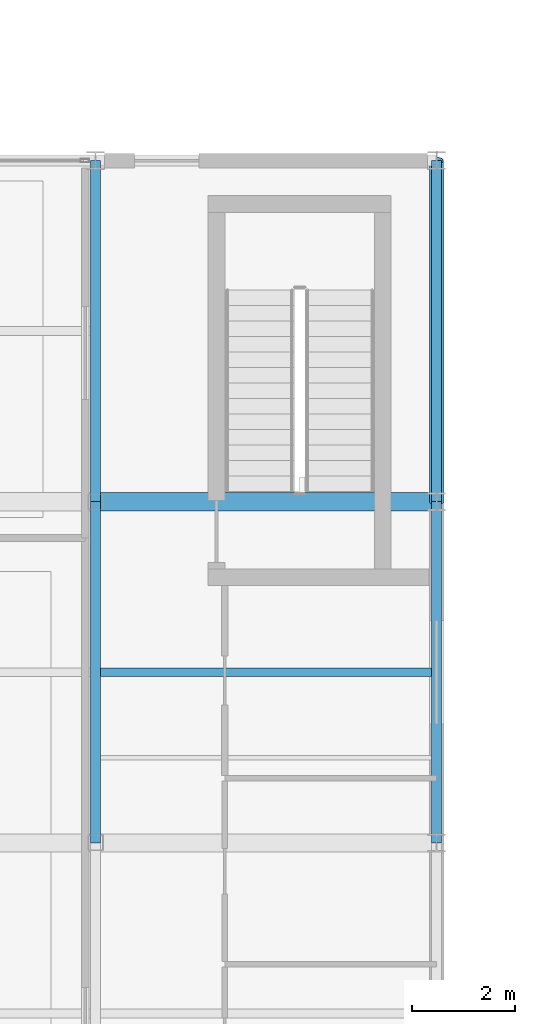
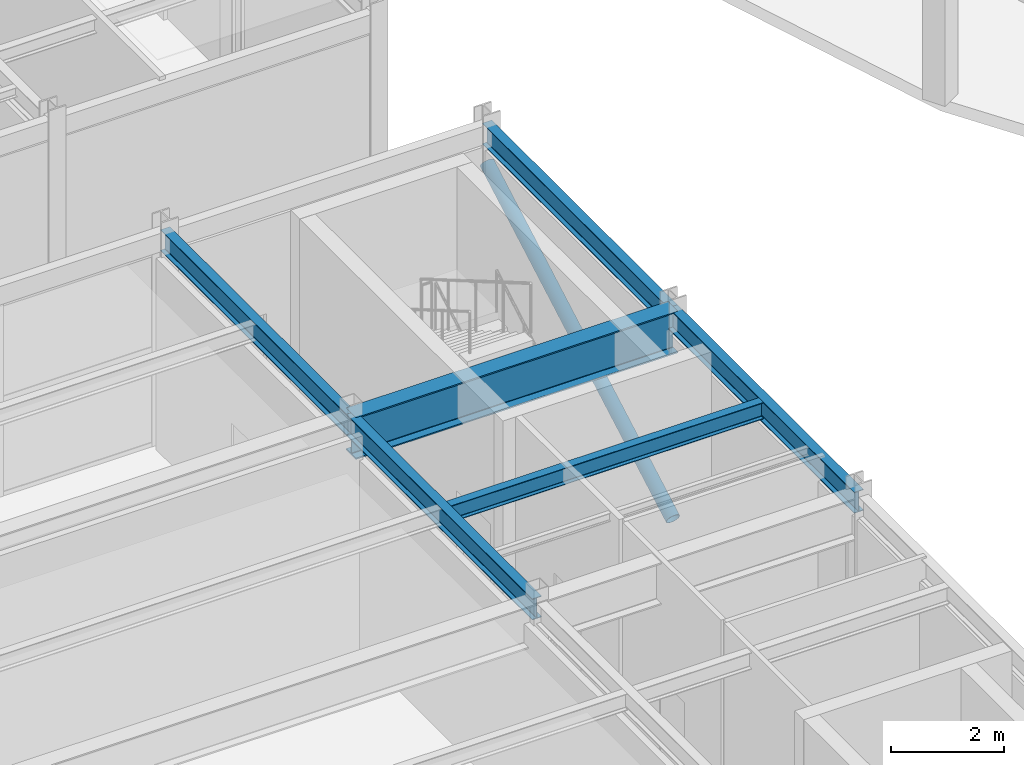
# One storey, part 22 of 144: 6 beams, 1 member.
"""IFC4 building model written with IfcOpenShell, lengths in metres."""

from ifc_helpers import new_model, si_unit, direction, frame, origin, origin_2d, place, context, subcontext, project, spatial, hollow_circle, i_section, extrude, material, material_profile, profile_set, type_object, element, save


model = new_model("IFC4")

# Units and contexts
model_context = context("Model", 3, precision=1e-05, world=origin(), true_north=direction((0.0, 1.0)))
body_context = subcontext(model_context, "Body", "Model", "MODEL_VIEW")
ifc_project = project(units=[si_unit("LENGTHUNIT", "METRE"), si_unit("AREAUNIT", "SQUARE_METRE"), si_unit("VOLUMEUNIT", "CUBIC_METRE"), si_unit("PLANEANGLEUNIT", "RADIAN"), si_unit("MASSUNIT", "GRAM", prefix="KILO")], contexts=[model_context])

# Site, building, storey
site_placement = place(None, origin())
site = spatial("IfcSite", under=ifc_project, at=site_placement, CompositionType="ELEMENT")
building_placement = place(site_placement, origin())
building = spatial("IfcBuilding", under=site, at=building_placement, Name="Karori Crest Natural Sciences Institute", CompositionType="ELEMENT")
storey_placement = place(building_placement, origin())
storey = spatial("IfcBuildingStorey", under=building, at=storey_placement, Name="L00", CompositionType="ELEMENT", Elevation=0.0)

# Beams
ifc_material_1 = material(Name="Structural steel AS/NZS 3679.1 Grade 350", Category="steel")
ifc_material_profile_1 = material_profile(ifc_material_1, i_section(OverallWidth=0.35009765625, OverallDepth=0.907958984375, WebThickness=0.01611328125, FlangeThickness=0.028076171875, FilletRadius=0.01611328125, at=origin_2d()), Name="900WB257")
ifc_profile_set_1 = profile_set([ifc_material_profile_1], Name="Structural steel AS/NZS 3679.1 Grade 350")
beam_type_1 = type_object("IfcBeamType", Name="BT-01", PredefinedType="BEAM", material=ifc_profile_set_1)
beam_1_placement = place(storey_placement, frame((20.60009765625, 20.60009765625, 4.166015625), z_axis=(1.0, 0.0, 0.0), x_axis=(0.0, 1.0, 0.0)))
element("IfcBeam", 1, at=beam_1_placement, inside=storey, type_object=beam_type_1, Name="Beam B-0791", PredefinedType="BEAM", context=body_context, shape_type="SweptSolid", body=[
    extrude(i_section(OverallWidth=0.35009765625, OverallDepth=0.907958984375, WebThickness=0.01611328125, FlangeThickness=0.028076171875, FilletRadius=0.01611328125, at=origin_2d()), origin(), (0.0, 0.0, 1.0), 6.599853515625),
])
ifc_material_profile_2 = material_profile(ifc_material_1, i_section(OverallWidth=0.19091796875, OverallDepth=0.4599609375, WebThickness=0.010009765625, FlangeThickness=0.01611328125, FilletRadius=0.010986328125, at=origin_2d()), Name="460UB82.1")
ifc_profile_set_2 = profile_set([ifc_material_profile_2], Name="Structural steel AS/NZS 3679.1 Grade 350")
beam_type_2 = type_object("IfcBeamType", Name="BT-06", PredefinedType="BEAM", material=ifc_profile_set_2)
beam_2_placement = place(storey_placement, frame((20.60009765625, 14.0, 4.389892578125), z_axis=(0.0, 1.0, 0.0), x_axis=(-1.0, 0.0, 0.0)))
element("IfcBeam", 2, at=beam_2_placement, inside=storey, type_object=beam_type_2, Name="Beam B-0800", PredefinedType="BEAM", context=body_context, shape_type="SweptSolid", body=[
    extrude(i_section(OverallWidth=0.19091796875, OverallDepth=0.4599609375, WebThickness=0.010009765625, FlangeThickness=0.01611328125, FilletRadius=0.010986328125, at=origin_2d()), origin(), (0.0, 0.0, 1.0), 6.60009765625),
])
beam_3_placement = place(storey_placement, frame((20.60009765625, 20.60009765625, 4.389892578125), z_axis=(0.0, 1.0, 0.0), x_axis=(-1.0, 0.0, 0.0)))
element("IfcBeam", 3, at=beam_3_placement, inside=storey, type_object=beam_type_2, Name="Beam B-0801", PredefinedType="BEAM", context=body_context, shape_type="SweptSolid", body=[
    extrude(i_section(OverallWidth=0.19091796875, OverallDepth=0.4599609375, WebThickness=0.010009765625, FlangeThickness=0.01611328125, FilletRadius=0.010986328125, at=origin_2d()), origin(), (0.0, 0.0, 1.0), 6.599853515625),
])
ifc_material_profile_3 = material_profile(ifc_material_1, i_section(OverallWidth=0.19091796875, OverallDepth=0.4599609375, WebThickness=0.010009765625, FlangeThickness=0.01611328125, FilletRadius=0.010986328125, at=origin_2d()), Name="460UB82.1")
ifc_profile_set_3 = profile_set([ifc_material_profile_3], Name="Structural steel AS/NZS 3679.1 Grade 350")
beam_type_3 = type_object("IfcBeamType", Name="BT-06-EL", PredefinedType="BEAM", material=ifc_profile_set_3)
beam_4_placement = place(storey_placement, frame((27.199951171875, 14.0, 4.389892578125), z_axis=(0.0, 1.0, 0.0), x_axis=(-1.0, 0.0, 0.0)))
element("IfcBeam", 4, at=beam_4_placement, inside=storey, type_object=beam_type_3, Name="Beam B-0804", PredefinedType="BEAM", context=body_context, shape_type="SweptSolid", body=[
    extrude(i_section(OverallWidth=0.19091796875, OverallDepth=0.4599609375, WebThickness=0.010009765625, FlangeThickness=0.01611328125, FilletRadius=0.010986328125, at=origin_2d()), origin(), (0.0, 0.0, 1.0), 6.60009765625),
])
beam_5_placement = place(storey_placement, frame((27.199951171875, 20.60009765625, 4.389892578125), z_axis=(0.0, 1.0, 0.0), x_axis=(-1.0, 0.0, 0.0)))
element("IfcBeam", 5, at=beam_5_placement, inside=storey, type_object=beam_type_3, Name="Beam B-0805", PredefinedType="BEAM", context=body_context, shape_type="SweptSolid", body=[
    extrude(i_section(OverallWidth=0.19091796875, OverallDepth=0.4599609375, WebThickness=0.010009765625, FlangeThickness=0.01611328125, FilletRadius=0.010986328125, at=origin_2d()), origin(), (0.0, 0.0, 1.0), 6.599853515625),
])
ifc_material_profile_4 = material_profile(ifc_material_1, i_section(OverallWidth=0.172119140625, OverallDepth=0.35888671875, WebThickness=0.008056640625, FlangeThickness=0.012939453125, FilletRadius=0.010986328125, at=origin_2d()), Name="360UB56.7")
ifc_profile_set_4 = profile_set([ifc_material_profile_4], Name="Structural steel AS/NZS 3679.1 Grade 350")
beam_type_4 = type_object("IfcBeamType", Name="BT-08", PredefinedType="BEAM", material=ifc_profile_set_4)
beam_6_placement = place(storey_placement, frame((20.695556640625, 17.300048828125, 4.4404296875), z_axis=(1.0, 0.0, 0.0), x_axis=(0.0, 1.0, 0.0)))
element("IfcBeam", 6, at=beam_6_placement, inside=storey, type_object=beam_type_4, Name="Beam B-0812", PredefinedType="BEAM", context=body_context, shape_type="SweptSolid", body=[
    extrude(i_section(OverallWidth=0.172119140625, OverallDepth=0.35888671875, WebThickness=0.008056640625, FlangeThickness=0.012939453125, FilletRadius=0.010986328125, at=origin_2d()), origin(), (0.0, 0.0, 1.0), 6.408935546875),
])

# Member
ifc_material_2 = material(Name="Hollow structural steel AS/NZS 1163 Grade C350", Category="steel")
ifc_material_profile_5 = material_profile(ifc_material_2, hollow_circle(Radius=0.136474609375, WallThickness=0.00927734375, at=origin_2d()), Name="CHS273.0x9.3")
ifc_profile_set_5 = profile_set([ifc_material_profile_5], Name="Hollow structural steel AS/NZS 1163 Grade C350")
member_type = type_object("IfcMemberType", Name="MT-01-EL", PredefinedType="BRACE", material=ifc_profile_set_5)
member_placement = place(storey_placement, frame((27.199951171875, 20.60009765625, 0.010009765625), z_axis=(0.0, 0.871603950911, 0.490210722808), x_axis=(-1.0, 0.0, 0.0)))
element("IfcMember", 7, at=member_placement, inside=storey, type_object=member_type, Name="Diagonal Brace M-0244", PredefinedType="BRACE", context=body_context, shape_type="SweptSolid", body=[
    extrude(hollow_circle(Radius=0.136474609375, WallThickness=0.00927734375, at=origin_2d()), origin(), (0.0, 0.0, 1.0), 7.572021484375),
])

save(model, "model.ifc")
